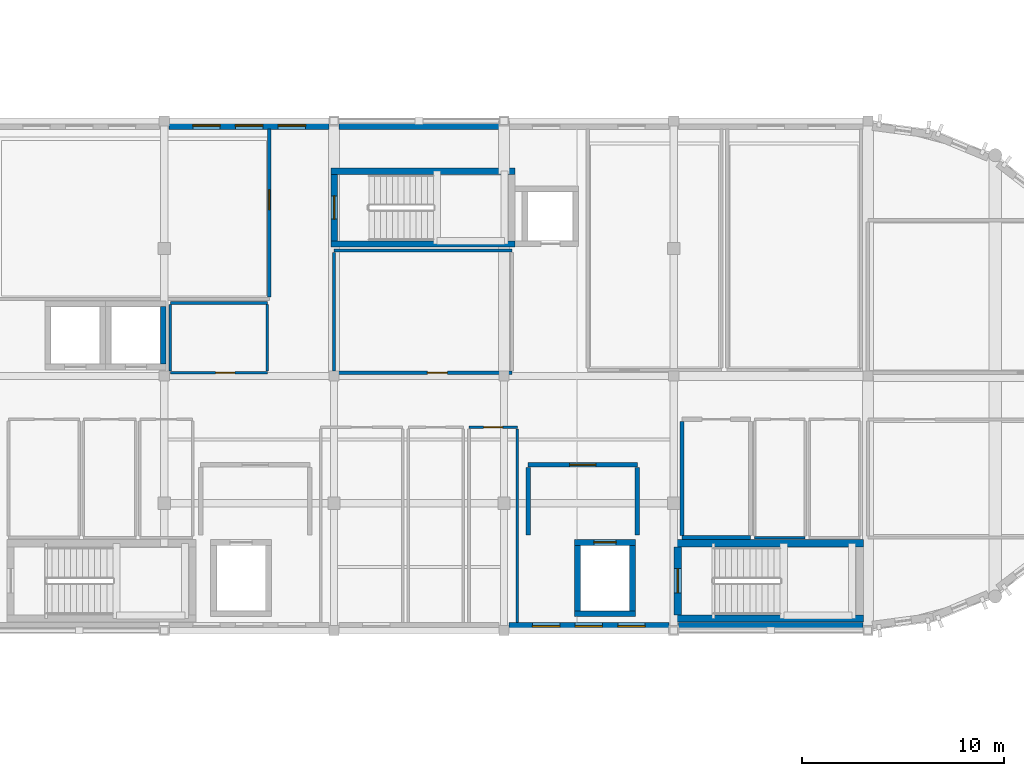
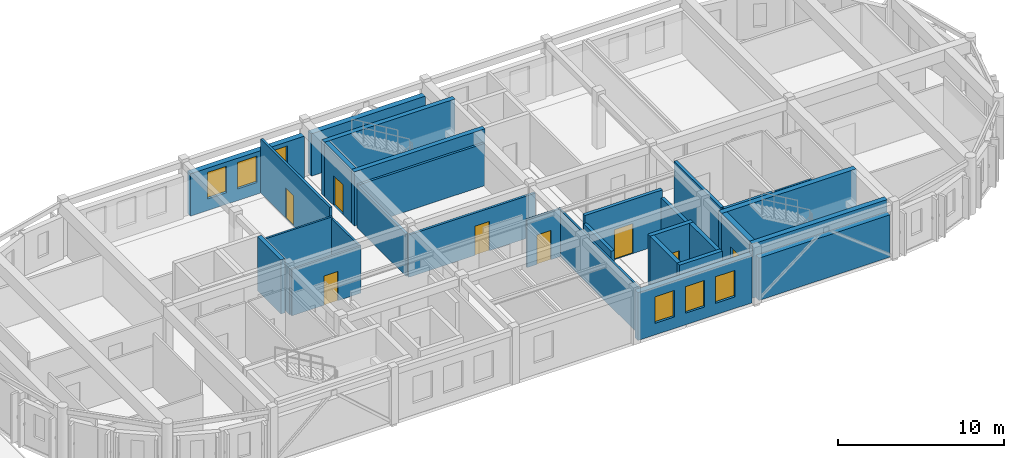
# One storey, part 5 of 12: 31 walls, 8 doors, 6 windows, 14 openings.
"""IFC4 building model written with IfcOpenShell, lengths in metres."""

from ifc_helpers import new_model, si_unit, direction, frame, frame_2d, origin, place, context, subcontext, project, spatial, rectangle, extrude, material, layer, layer_set, type_object, element, fill, save


model = new_model("IFC4")

# Units and contexts
model_context = context("Model", 3, precision=1e-05, world=origin(), true_north=direction((0.0, 1.0)))
body_context = subcontext(model_context, "Body", "Model", "MODEL_VIEW")
ifc_project = project(units=[si_unit("LENGTHUNIT", "METRE"), si_unit("AREAUNIT", "SQUARE_METRE"), si_unit("VOLUMEUNIT", "CUBIC_METRE"), si_unit("PLANEANGLEUNIT", "RADIAN"), si_unit("MASSUNIT", "GRAM", prefix="KILO")], contexts=[model_context])

# Site, building, storey
site_placement = place(None, origin())
site = spatial("IfcSite", under=ifc_project, at=site_placement, CompositionType="ELEMENT")
building_placement = place(site_placement, origin())
building = spatial("IfcBuilding", under=site, at=building_placement, Name="Tarnavel Promenade Courthouse", CompositionType="ELEMENT")
storey_placement = place(building_placement, frame((0.0, 0.0, 27.0)))
storey = spatial("IfcBuildingStorey", under=building, at=storey_placement, Name="L07", CompositionType="ELEMENT", Elevation=27.0)

# Wall, opening, door
ifc_material_1 = material(Name="Acoustic Insulated Gypsum Stud Partition", Category="gypsum")
ifc_layer_1 = layer(ifc_material_1, 0.1650390625)
ifc_layer_set_1 = layer_set([ifc_layer_1], Name="Acoustic Insulated Gypsum Stud Partition")
wall_type_1 = type_object("IfcWallType", Name="Acoustic Insulated Gypsum Stud Partition WL-CHM-165 (165 mm)", PredefinedType="PARTITIONING", material=ifc_layer_set_1)
wall_1_placement = place(storey_placement, frame((72.39990234375, 103.99609375, 0.0), z_axis=(0.0, 0.0, 1.0), x_axis=(0.0, -1.0, 0.0)))
wall_1 = element("IfcWall", 1, at=wall_1_placement, inside=storey, type_object=wall_type_1, Name="L07 Appellate Judges' Chambers L07 Suite A Partition 0874", PredefinedType="PARTITIONING", context=body_context, shape_type="SweptSolid", body=[
    extrude(rectangle(XDim=8.3037109375, YDim=0.1650390625, at=frame_2d((4.15185546875, 0.0))), origin(), (0.0, 0.0, 1.0), 3.965087890625),
])
opening_1_placement = place(wall_1_placement, frame((2.99951171875, 0.0, 0.0)))
opening_1 = element("IfcOpeningElement", 2, at=opening_1_placement, cuts=wall_1, Name="Opening ID-04", PredefinedType="OPENING", context=body_context, shape_type="SweptSolid", body=[
    extrude(rectangle(XDim=0.97998046875, YDim=2.199951171875, at=frame_2d((0.489990234375, 1.10009765625))), frame((0.0, 0.092529296875, 0.0), z_axis=(0.0, -1.0, 0.0), x_axis=(1.0, 0.0, 0.0)), (0.0, 0.0, 1.0), 0.18505859375),
])
ifc_material_2 = material(Name="Solid Oak Judges Chambers Door")
door_type_1 = type_object("IfcDoorType", Name="Solid Oak Judges Chambers Door (DR-CHM-0980x2200)", OperationType="NOTDEFINED", PredefinedType="DOOR", material=ifc_material_2)
door_1_placement = place(opening_1_placement, origin())
door_1 = element("IfcDoor", 3, at=door_1_placement, inside=storey, type_object=door_type_1, Name="L07 Appellate Judges' Chambers L07 Suite A Door 0249", OperationType="SINGLE_SWING_RIGHT", OverallHeight=2.199951171875, OverallWidth=0.97998046875, PredefinedType="DOOR", context=body_context, shape_type="SweptSolid", body=[
    extrude(rectangle(XDim=0.97998046875, YDim=2.199951171875, at=frame_2d((0.489990234375, 1.10009765625))), frame((0.0, 0.02490234375, 0.0), z_axis=(0.0, -1.0, 0.0), x_axis=(1.0, 0.0, 0.0)), (0.0, 0.0, 1.0), 0.050048828125),
])
fill(opening_1, door_1)

# Wall
wall_2_placement = place(storey_placement, frame((75.60009765625, 98.0, 0.0), z_axis=(0.0, 0.0, 1.0), x_axis=(1.0, 0.0, 0.0)))
element("IfcWall", 4, at=wall_2_placement, inside=storey, type_object=wall_type_1, Name="L07 L07 Judicial Panel Deliberation Salon Partition 0879", PredefinedType="PARTITIONING", context=body_context, shape_type="SweptSolid", body=[
    extrude(rectangle(XDim=8.7998046875, YDim=0.1650390625, at=frame_2d((4.39990234375, 0.0))), origin(), (0.0, 0.0, 1.0), 3.110107421875),
])

# Wall, opening, door
wall_3_placement = place(storey_placement, frame((84.39990234375, 91.949951171875, 0.0), z_axis=(0.0, 0.0, 1.0), x_axis=(-1.0, 0.0, 0.0)))
wall_3 = element("IfcWall", 5, at=wall_3_placement, inside=storey, type_object=wall_type_1, Name="L07 L07 Judicial Panel Deliberation Salon Partition 0880", PredefinedType="PARTITIONING", context=body_context, shape_type="SweptSolid", body=[
    extrude(rectangle(XDim=8.7998046875, YDim=0.1650390625, at=frame_2d((4.39990234375, 0.0))), origin(), (0.0, 0.0, 1.0), 3.110107421875),
])
opening_2_placement = place(wall_3_placement, frame((3.18994140625, 0.0, 0.0)))
opening_2 = element("IfcOpeningElement", 6, at=opening_2_placement, cuts=wall_3, Name="Opening ID-03", PredefinedType="OPENING", context=body_context, shape_type="SweptSolid", body=[
    extrude(rectangle(XDim=1.0, YDim=2.14990234375, at=frame_2d((0.5, 1.074951171875))), frame((0.0, 0.092529296875, 0.0), z_axis=(0.0, -1.0, 0.0), x_axis=(1.0, 0.0, 0.0)), (0.0, 0.0, 1.0), 0.18505859375),
])
ifc_material_3 = material(Name="Acoustic Solid-Core Oak Jury Room Door")
door_type_2 = type_object("IfcDoorType", Name="Acoustic Solid-Core Oak Jury Room Door (DR-JRY-1000x2150)", OperationType="NOTDEFINED", PredefinedType="DOOR", material=ifc_material_3)
door_2_placement = place(opening_2_placement, origin())
door_2 = element("IfcDoor", 7, at=door_2_placement, inside=storey, type_object=door_type_2, Name="L07 L07 Judicial Panel Deliberation Salon Door 0251", OperationType="SINGLE_SWING_RIGHT", OverallHeight=2.14990234375, OverallWidth=1.0, PredefinedType="DOOR", context=body_context, shape_type="SweptSolid", body=[
    extrude(rectangle(XDim=1.0, YDim=2.14990234375, at=frame_2d((0.5, 1.074951171875))), frame((0.0, 0.02490234375, 0.0), z_axis=(0.0, -1.0, 0.0), x_axis=(1.0, 0.0, 0.0)), (0.0, 0.0, 1.0), 0.050048828125),
])
fill(opening_2, door_2)

# Wall
wall_4_placement = place(storey_placement, frame((75.60009765625, 92.04248046875, 0.0), z_axis=(0.0, 0.0, 1.0), x_axis=(0.0, 1.0, 0.0)))
element("IfcWall", 8, at=wall_4_placement, inside=storey, type_object=wall_type_1, Name="L07 L07 Judicial Panel Deliberation Salon Partition 0881", PredefinedType="PARTITIONING", context=body_context, shape_type="SweptSolid", body=[
    extrude(rectangle(XDim=5.864990234375, YDim=0.1650390625, at=frame_2d((2.9326171875, 0.0))), origin(), (0.0, 0.0, 1.0), 3.110107421875),
])

# Wall, opening, door
ifc_material_4 = material(Name="Concrete C40/50", Category="concrete")
ifc_layer_2 = layer(ifc_material_4, 0.280029296875)
ifc_layer_set_2 = layer_set([ifc_layer_2], Name="Concrete C40/50")
wall_type_2 = type_object("IfcWallType", Name="Concrete C40/50 WL-SHR-280 (280 mm)", PredefinedType="SHEAR", material=ifc_layer_set_2)
wall_5_placement = place(storey_placement, frame((87.5, 83.56005859375, 0.0), z_axis=(0.0, 0.0, 1.0), x_axis=(1.0, 0.0, 0.0)))
wall_5 = element("IfcWall", 9, at=wall_5_placement, inside=storey, type_object=wall_type_2, Name="L07 L-FF2 Lift Shaft North Wall", PredefinedType="SHEAR", context=body_context, shape_type="SweptSolid", body=[
    extrude(rectangle(XDim=3.0, YDim=0.280029296875, at=frame_2d((1.5, 0.0))), origin(), (0.0, 0.0, 1.0), 3.97998046875),
])
opening_3_placement = place(wall_5_placement, frame((0.949951171875, 0.0, 0.0)))
opening_3 = element("IfcOpeningElement", 10, at=opening_3_placement, cuts=wall_5, Name="Opening LD-01", PredefinedType="OPENING", context=body_context, shape_type="SweptSolid", body=[
    extrude(rectangle(XDim=1.10009765625, YDim=2.199951171875, at=frame_2d((0.550048828125, 1.10009765625))), frame((0.0, 0.14990234375, 0.0), z_axis=(0.0, -1.0, 0.0), x_axis=(1.0, 0.0, 0.0)), (0.0, 0.0, 1.0), 0.300048828125),
])
ifc_material_5 = material(Name="Stainless Steel Firefighting Lift Landing Sliding Door", Category="steel")
door_type_3 = type_object("IfcDoorType", Name="Stainless Steel Firefighting Lift Landing Sliding Door (LD-FF-1100x2200)", OperationType="NOTDEFINED", PredefinedType="DOOR", material=ifc_material_5)
door_3_placement = place(opening_3_placement, origin())
door_3 = element("IfcDoor", 11, at=door_3_placement, inside=storey, type_object=door_type_3, Name="L07 L-FF2 Lift Sliding Landing Door", OperationType="DOUBLE_DOOR_SLIDING", OverallHeight=2.199951171875, OverallWidth=1.10009765625, PredefinedType="DOOR", context=body_context, shape_type="SweptSolid", body=[
    extrude(rectangle(XDim=1.10009765625, YDim=2.199951171875, at=frame_2d((0.550048828125, 1.10009765625))), frame((0.0, 0.02490234375, 0.0), z_axis=(0.0, -1.0, 0.0), x_axis=(1.0, 0.0, 0.0)), (0.0, 0.0, 1.0), 0.050048828125),
])
fill(opening_3, door_3)

# Walls
wall_6_placement = place(storey_placement, frame((90.5, 80.0400390625, 0.0), z_axis=(0.0, 0.0, 1.0), x_axis=(-1.0, 0.0, 0.0)))
element("IfcWall", 12, at=wall_6_placement, inside=storey, type_object=wall_type_2, Name="L07 L-FF2 Lift Shaft South Wall", PredefinedType="SHEAR", context=body_context, shape_type="SweptSolid", body=[
    extrude(rectangle(XDim=3.0, YDim=0.280029296875, at=frame_2d((1.5, 0.0))), origin(), (0.0, 0.0, 1.0), 3.97998046875),
])
for number, where, z_axis, x_axis, name in (
    (13, (87.639892578125, 80.179931640625, 0.0), (0.0, 0.0, 1.0), (0.0, 1.0, 0.0), "L07 L-FF2 Lift Shaft West Wall"),
    (14, (90.360107421875, 83.419921875, 0.0), (0.0, 0.0, 1.0), (0.0, -1.0, 0.0), "L07 L-FF2 Lift Shaft East Wall"),
):
    element("IfcWall", number, at=place(storey_placement, frame(where, z_axis=z_axis, x_axis=x_axis)), inside=storey, type_object=wall_type_2, Name=name, PredefinedType="SHEAR", context=body_context, shape_type="SweptSolid", body=[
        extrude(rectangle(XDim=3.239990234375, YDim=0.280029296875, at=frame_2d((1.6201171875, 0.0))), origin(), (0.0, 0.0, 1.0), 3.97998046875),
    ])
wall_7_placement = place(storey_placement, frame((67.159912109375, 95.219970703125, 0.0), z_axis=(0.0, 0.0, 1.0), x_axis=(0.0, -1.0, 0.0)))
element("IfcWall", 15, at=wall_7_placement, inside=storey, type_object=wall_type_2, Name="L07 L-PUB2 Lift Shaft East Wall", PredefinedType="SHEAR", context=body_context, shape_type="SweptSolid", body=[
    extrude(rectangle(XDim=2.840087890625, YDim=0.280029296875, at=frame_2d((1.419921875, 0.0))), origin(), (0.0, 0.0, 1.0), 3.97998046875),
])
ifc_layer_3 = layer(ifc_material_4, 0.320068359375)
ifc_layer_set_3 = layer_set([ifc_layer_3], Name="Concrete C40/50")
wall_type_3 = type_object("IfcWallType", Name="Concrete C40/50 WL-SHR-320 (320 mm)", PredefinedType="SHEAR", material=ifc_layer_set_3)
for number, where, z_axis, x_axis, name in (
    (16, (75.4599609375, 101.919921875, 0.0), (0.0, 0.0, 1.0), (1.0, 0.0, 0.0), "L07 ST-03 Shear Core North Wall"),
    (17, (84.5400390625, 98.320068359375, 0.0), (0.0, 0.0, 1.0), (-1.0, 0.0, 0.0), "L07 ST-03 Shear Core South Wall"),
):
    element("IfcWall", number, at=place(storey_placement, frame(where, z_axis=z_axis, x_axis=x_axis)), inside=storey, type_object=wall_type_3, Name=name, PredefinedType="SHEAR", context=body_context, shape_type="SweptSolid", body=[
        extrude(rectangle(XDim=9.080078125, YDim=0.320068359375, at=frame_2d((4.5400390625, 0.0))), origin(), (0.0, 0.0, 1.0), 3.97998046875),
    ])

# Wall, opening, door
wall_8_placement = place(storey_placement, frame((75.6201171875, 98.47998046875, 0.0), z_axis=(0.0, 0.0, 1.0), x_axis=(0.0, 1.0, 0.0)))
wall_8 = element("IfcWall", 18, at=wall_8_placement, inside=storey, type_object=wall_type_3, Name="L07 ST-03 Shear Core West Landing Wall", PredefinedType="SHEAR", context=body_context, shape_type="SweptSolid", body=[
    extrude(rectangle(XDim=3.280029296875, YDim=0.320068359375, at=frame_2d((1.64013671875, 0.0))), origin(), (0.0, 0.0, 1.0), 3.97998046875),
])
opening_4_placement = place(wall_8_placement, frame((1.06494140625, 0.0, 0.0)))
opening_4 = element("IfcOpeningElement", 19, at=opening_4_placement, cuts=wall_8, Name="Opening FD-01", PredefinedType="OPENING", context=body_context, shape_type="SweptSolid", body=[
    extrude(rectangle(XDim=1.14990234375, YDim=2.199951171875, at=frame_2d((0.574951171875, 1.10009765625))), frame((0.0, 0.169921875, 0.0), z_axis=(0.0, -1.0, 0.0), x_axis=(1.0, 0.0, 0.0)), (0.0, 0.0, 1.0), 0.340087890625),
])
ifc_material_6 = material(Name="Steel Fire-Rated Stair Core Door", Category="steel")
door_type_4 = type_object("IfcDoorType", Name="Steel Fire-Rated Stair Core Door (DR-ST-1150x2200)", OperationType="NOTDEFINED", PredefinedType="DOOR", material=ifc_material_6)
door_4_placement = place(opening_4_placement, origin())
door_4 = element("IfcDoor", 20, at=door_4_placement, inside=storey, type_object=door_type_4, Name="L07 ST-03 Protected Exit Stair Door", OperationType="SINGLE_SWING_LEFT", OverallHeight=2.199951171875, OverallWidth=1.14990234375, PredefinedType="DOOR", context=body_context, shape_type="SweptSolid", body=[
    extrude(rectangle(XDim=1.14990234375, YDim=2.199951171875, at=frame_2d((0.574951171875, 1.10009765625))), frame((0.0, 0.02490234375, 0.0), z_axis=(0.0, -1.0, 0.0), x_axis=(1.0, 0.0, 0.0)), (0.0, 0.0, 1.0), 0.050048828125),
])
fill(opening_4, door_4)

# Walls
ifc_layer_4 = layer(ifc_material_4, 0.360107421875)
ifc_layer_set_4 = layer_set([ifc_layer_4], Name="Concrete C40/50")
wall_type_4 = type_object("IfcWallType", Name="Concrete C40/50 WL-SHR-360 (360 mm)", PredefinedType="SHEAR", material=ifc_layer_set_4)
for number, where, z_axis, x_axis, name in (
    (21, (92.419921875, 83.52001953125, 0.0), (0.0, 0.0, 1.0), (1.0, 0.0, 0.0), "L07 ST-02 Shear Core North Wall"),
    (22, (101.780029296875, 79.800048828125, 0.0), (0.0, 0.0, 1.0), (-1.0, 0.0, 0.0), "L07 ST-02 Shear Core South Wall"),
):
    element("IfcWall", number, at=place(storey_placement, frame(where, z_axis=z_axis, x_axis=x_axis)), inside=storey, type_object=wall_type_4, Name=name, PredefinedType="SHEAR", context=body_context, shape_type="SweptSolid", body=[
        extrude(rectangle(XDim=9.360107421875, YDim=0.360107421875, at=frame_2d((4.68017578125, 0.0))), origin(), (0.0, 0.0, 1.0), 3.97998046875),
    ])

# Wall, opening, door
wall_9_placement = place(storey_placement, frame((92.60009765625, 79.97998046875, 0.0), z_axis=(0.0, 0.0, 1.0), x_axis=(0.0, 1.0, 0.0)))
wall_9 = element("IfcWall", 23, at=wall_9_placement, inside=storey, type_object=wall_type_4, Name="L07 ST-02 Shear Core West Landing Wall", PredefinedType="SHEAR", context=body_context, shape_type="SweptSolid", body=[
    extrude(rectangle(XDim=3.360107421875, YDim=0.360107421875, at=frame_2d((1.68017578125, 0.0))), origin(), (0.0, 0.0, 1.0), 3.97998046875),
])
opening_5_placement = place(wall_9_placement, frame((1.080078125, 0.0, 0.0)))
opening_5 = element("IfcOpeningElement", 24, at=opening_5_placement, cuts=wall_9, Name="Opening FD-02", PredefinedType="OPENING", context=body_context, shape_type="SweptSolid", body=[
    extrude(rectangle(XDim=1.199951171875, YDim=2.199951171875, at=frame_2d((0.60009765625, 1.10009765625))), frame((0.0, 0.18994140625, 0.0), z_axis=(0.0, -1.0, 0.0), x_axis=(1.0, 0.0, 0.0)), (0.0, 0.0, 1.0), 0.380126953125),
])
ifc_material_7 = material(Name="Steel Fire-Rated Firefighting Stair Door", Category="steel")
door_type_5 = type_object("IfcDoorType", Name="Steel Fire-Rated Firefighting Stair Door (DR-ST-1200x2200)", OperationType="NOTDEFINED", PredefinedType="DOOR", material=ifc_material_7)
door_5_placement = place(opening_5_placement, origin())
door_5 = element("IfcDoor", 25, at=door_5_placement, inside=storey, type_object=door_type_5, Name="L07 ST-02 Protected Exit Stair Door", OperationType="SINGLE_SWING_LEFT", OverallHeight=2.199951171875, OverallWidth=1.199951171875, PredefinedType="DOOR", context=body_context, shape_type="SweptSolid", body=[
    extrude(rectangle(XDim=1.199951171875, YDim=2.199951171875, at=frame_2d((0.60009765625, 1.10009765625))), frame((0.0, 0.02490234375, 0.0), z_axis=(0.0, -1.0, 0.0), x_axis=(1.0, 0.0, 0.0)), (0.0, 0.0, 1.0), 0.050048828125),
])
fill(opening_5, door_5)

# Walls
ifc_material_8 = material(Name="Concrete Masonry Fire Compartment Wall", Category="masonry")
ifc_layer_5 = layer(ifc_material_8, 0.205078125)
ifc_layer_set_5 = layer_set([ifc_layer_5], Name="Concrete Masonry Fire Compartment Wall")
wall_type_5 = type_object("IfcWallType", Name="Concrete Masonry Fire Compartment Wall WL-CMP-205 (205 mm)", PredefinedType="STANDARD", material=ifc_layer_set_5)
wall_10_placement = place(storey_placement, frame((96.199951171875, 83.800048828125, 0.0), z_axis=(0.0, 0.0, 1.0), x_axis=(-1.0, 0.0, 0.0)))
element("IfcWall", 26, at=wall_10_placement, inside=storey, type_object=wall_type_5, Name="L07 L07 Court Transcript Records Room Partition 0869", PredefinedType="STANDARD", context=body_context, shape_type="SweptSolid", body=[
    extrude(rectangle(XDim=3.39990234375, YDim=0.205078125, at=frame_2d((1.699951171875, 0.0))), origin(), (0.0, 0.0, 1.0), 3.965087890625),
])
wall_11_placement = place(storey_placement, frame((92.800048828125, 83.91259765625, 0.0), z_axis=(0.0, 0.0, 1.0), x_axis=(0.0, 1.0, 0.0)))
element("IfcWall", 27, at=wall_11_placement, inside=storey, type_object=wall_type_5, Name="L07 L07 Court Transcript Records Room Partition 0870", PredefinedType="STANDARD", context=body_context, shape_type="SweptSolid", body=[
    extrude(rectangle(XDim=5.625, YDim=0.205078125, at=frame_2d((2.8125, 0.0))), origin(), (0.0, 0.0, 1.0), 3.965087890625),
])

# Wall, opening, door
ifc_layer_6 = layer(ifc_material_8, 0.22998046875)
ifc_layer_set_6 = layer_set([ifc_layer_6], Name="Concrete Masonry Fire Compartment Wall")
wall_type_6 = type_object("IfcWallType", Name="Concrete Masonry Fire Compartment Wall WL-CMP-230 (230 mm)", PredefinedType="STANDARD", material=ifc_layer_set_6)
wall_12_placement = place(storey_placement, frame((85.199951171875, 87.39990234375, 0.0), z_axis=(0.0, 0.0, 1.0), x_axis=(1.0, 0.0, 0.0)))
wall_12 = element("IfcWall", 28, at=wall_12_placement, inside=storey, type_object=wall_type_6, Name="L07 Firefighting Lobby L-FF2 Partition 0845", PredefinedType="STANDARD", context=body_context, shape_type="SweptSolid", body=[
    extrude(rectangle(XDim=5.400146484375, YDim=0.22998046875, at=frame_2d((2.7001953125, 0.0))), origin(), (0.0, 0.0, 1.0), 3.965087890625),
])
opening_6_placement = place(wall_12_placement, frame((2.050048828125, 0.0, 0.0)))
opening_6 = element("IfcOpeningElement", 29, at=opening_6_placement, cuts=wall_12, Name="Opening FD-03", PredefinedType="OPENING", context=body_context, shape_type="SweptSolid", body=[
    extrude(rectangle(XDim=1.300048828125, YDim=2.199951171875, at=frame_2d((0.64990234375, 1.10009765625))), frame((0.0, 0.125, 0.0), z_axis=(0.0, -1.0, 0.0), x_axis=(1.0, 0.0, 0.0)), (0.0, 0.0, 1.0), 0.25),
])
ifc_material_9 = material(Name="Smoke-Sealed Firefighting Lobby Fire Door")
door_type_6 = type_object("IfcDoorType", Name="Smoke-Sealed Firefighting Lobby Fire Door (DR-FFL-1300x2200)", OperationType="NOTDEFINED", PredefinedType="DOOR", material=ifc_material_9)
door_6_placement = place(opening_6_placement, origin())
door_6 = element("IfcDoor", 30, at=door_6_placement, inside=storey, type_object=door_type_6, Name="L07 Firefighting Lobby L-FF2 Door 0242", OperationType="SINGLE_SWING_LEFT", OverallHeight=2.199951171875, OverallWidth=1.300048828125, PredefinedType="DOOR", context=body_context, shape_type="SweptSolid", body=[
    extrude(rectangle(XDim=1.300048828125, YDim=2.199951171875, at=frame_2d((0.64990234375, 1.10009765625))), frame((0.0, 0.02490234375, 0.0), z_axis=(0.0, -1.0, 0.0), x_axis=(1.0, 0.0, 0.0)), (0.0, 0.0, 1.0), 0.050048828125),
])
fill(opening_6, door_6)

# Walls
for number, where, z_axis, x_axis, name in (
    (31, (85.199951171875, 83.925048828125, 0.0), (0.0, 0.0, 1.0), (0.0, 1.0, 0.0), "L07 Firefighting Lobby L-FF2 Partition 0846"),
    (32, (90.60009765625, 87.27490234375, 0.0), (0.0, 0.0, 1.0), (0.0, -1.0, 0.0), "L07 Firefighting Lobby L-FF2 Partition 0847"),
):
    element("IfcWall", number, at=place(storey_placement, frame(where, z_axis=z_axis, x_axis=x_axis)), inside=storey, type_object=wall_type_6, Name=name, PredefinedType="STANDARD", context=body_context, shape_type="SweptSolid", body=[
        extrude(rectangle(XDim=3.349853515625, YDim=0.22998046875, at=frame_2d((1.6748046875, 0.0))), origin(), (0.0, 0.0, 1.0), 3.409912109375),
    ])

# Wall, openings, windows
ifc_material_10 = material(Name="Cream Brick Insulated Cavity Facade Assembly", Category="masonry")
ifc_layer_7 = layer(ifc_material_10, 0.3798828125)
ifc_layer_set_7 = layer_set([ifc_layer_7], Name="Cream Brick Insulated Cavity Facade Assembly")
wall_type_7 = type_object("IfcWallType", Name="Cream Brick Insulated Cavity Facade Assembly WL-EXT-380 (380 mm)", PredefinedType="STANDARD", material=ifc_layer_set_7)
wall_13_placement = place(storey_placement, frame((67.44189453125, 104.179931640625, 0.0), z_axis=(0.0, 0.0, 1.0), x_axis=(1.0, 0.0, 0.0)))
wall_13 = element("IfcWall", 33, at=wall_13_placement, inside=storey, type_object=wall_type_7, Name="L07 Bar North Limestone Facade 0171", PredefinedType="STANDARD", context=body_context, shape_type="SweptSolid", body=[
    extrude(rectangle(XDim=7.916015625, YDim=0.3798828125, at=frame_2d((3.9580078125, 0.0))), origin(), (0.0, 0.0, 1.0), 3.110107421875),
])
opening_7_placement = place(wall_13_placement, frame((1.169677734375, 0.0, 0.85009765625)))
opening_7 = element("IfcOpeningElement", 34, at=opening_7_placement, cuts=wall_13, Name="Opening W-04", PredefinedType="OPENING", context=body_context, shape_type="SweptSolid", body=[
    extrude(rectangle(XDim=1.35009765625, YDim=1.949951171875, at=frame_2d((0.675048828125, 0.97509765625))), frame((0.0, 0.199951171875, 0.0), z_axis=(0.0, -1.0, 0.0), x_axis=(1.0, 0.0, 0.0)), (0.0, 0.0, 1.0), 0.39990234375),
])
opening_8_placement = place(wall_13_placement, frame((3.282958984375, 0.0, 0.85009765625)))
opening_8 = element("IfcOpeningElement", 35, at=opening_8_placement, cuts=wall_13, Name="Opening W-04", PredefinedType="OPENING", context=body_context, shape_type="SweptSolid", body=[
    extrude(rectangle(XDim=1.35009765625, YDim=1.949951171875, at=frame_2d((0.675048828125, 0.97509765625))), frame((0.0, 0.199951171875, 0.0), z_axis=(0.0, -1.0, 0.0), x_axis=(1.0, 0.0, 0.0)), (0.0, 0.0, 1.0), 0.39990234375),
])
opening_9_placement = place(wall_13_placement, frame((5.396240234375, 0.0, 0.85009765625)))
opening_9 = element("IfcOpeningElement", 36, at=opening_9_placement, cuts=wall_13, Name="Opening W-04", PredefinedType="OPENING", context=body_context, shape_type="SweptSolid", body=[
    extrude(rectangle(XDim=1.35009765625, YDim=1.949951171875, at=frame_2d((0.675048828125, 0.97509765625))), frame((0.0, 0.199951171875, 0.0), z_axis=(0.0, -1.0, 0.0), x_axis=(1.0, 0.0, 0.0)), (0.0, 0.0, 1.0), 0.39990234375),
])
ifc_material_11 = material(Name="Triple Low-E Glazed Bronze-Clad Window Assembly")
window_type = type_object("IfcWindowType", Name="Triple-Glazed Bronze-Clad Timber-Aluminium WIN-CHM-1350x1950", PartitioningType="SINGLE_PANEL", PredefinedType="WINDOW", material=ifc_material_11)
window_1_placement = place(opening_7_placement, origin())
window_1 = element("IfcWindow", 37, at=window_1_placement, inside=storey, type_object=window_type, Name="L07 Exterior Window 0136", OverallHeight=1.949951171875, OverallWidth=1.35009765625, PartitioningType="SINGLE_PANEL", PredefinedType="WINDOW", context=body_context, shape_type="SweptSolid", body=[
    extrude(rectangle(XDim=1.35009765625, YDim=1.949951171875, at=frame_2d((0.675048828125, 0.97509765625))), frame((0.0, 0.030029296875, 0.0), z_axis=(0.0, -1.0, 0.0), x_axis=(1.0, 0.0, 0.0)), (0.0, 0.0, 1.0), 0.06005859375),
])
fill(opening_7, window_1)
window_2_placement = place(opening_8_placement, origin())
window_2 = element("IfcWindow", 38, at=window_2_placement, inside=storey, type_object=window_type, Name="L07 Exterior Window 0137", OverallHeight=1.949951171875, OverallWidth=1.35009765625, PartitioningType="SINGLE_PANEL", PredefinedType="WINDOW", context=body_context, shape_type="SweptSolid", body=[
    extrude(rectangle(XDim=1.35009765625, YDim=1.949951171875, at=frame_2d((0.675048828125, 0.97509765625))), frame((0.0, 0.030029296875, 0.0), z_axis=(0.0, -1.0, 0.0), x_axis=(1.0, 0.0, 0.0)), (0.0, 0.0, 1.0), 0.06005859375),
])
fill(opening_8, window_2)
window_3_placement = place(opening_9_placement, origin())
window_3 = element("IfcWindow", 39, at=window_3_placement, inside=storey, type_object=window_type, Name="L07 Exterior Window 0138", OverallHeight=1.949951171875, OverallWidth=1.35009765625, PartitioningType="SINGLE_PANEL", PredefinedType="WINDOW", context=body_context, shape_type="SweptSolid", body=[
    extrude(rectangle(XDim=1.35009765625, YDim=1.949951171875, at=frame_2d((0.675048828125, 0.97509765625))), frame((0.0, 0.030029296875, 0.0), z_axis=(0.0, -1.0, 0.0), x_axis=(1.0, 0.0, 0.0)), (0.0, 0.0, 1.0), 0.06005859375),
])
fill(opening_9, window_3)

# Wall
wall_14_placement = place(storey_placement, frame((75.842041015625, 104.179931640625, 0.0), z_axis=(0.0, 0.0, 1.0), x_axis=(1.0, 0.0, 0.0)))
element("IfcWall", 40, at=wall_14_placement, inside=storey, type_object=wall_type_7, Name="L07 Bar North Limestone Facade 0172", PredefinedType="STANDARD", context=body_context, shape_type="SweptSolid", body=[
    extrude(rectangle(XDim=7.916015625, YDim=0.3798828125, at=frame_2d((3.9580078125, 0.0))), origin(), (0.0, 0.0, 1.0), 3.110107421875),
])

# Wall, openings, windows
wall_15_placement = place(storey_placement, frame((92.157958984375, 79.419921875, 0.0), z_axis=(0.0, 0.0, 1.0), x_axis=(-1.0, 0.0, 0.0)))
wall_15 = element("IfcWall", 41, at=wall_15_placement, inside=storey, type_object=wall_type_7, Name="L07 Bar South Limestone Facade 0178", PredefinedType="STANDARD", context=body_context, shape_type="SweptSolid", body=[
    extrude(rectangle(XDim=7.916015625, YDim=0.3798828125, at=frame_2d((3.9580078125, 0.0))), origin(), (0.0, 0.0, 1.0), 3.510009765625),
])
opening_10_placement = place(wall_15_placement, frame((1.169677734375, 0.0, 0.85009765625)))
opening_10 = element("IfcOpeningElement", 42, at=opening_10_placement, cuts=wall_15, Name="Opening W-04", PredefinedType="OPENING", context=body_context, shape_type="SweptSolid", body=[
    extrude(rectangle(XDim=1.35009765625, YDim=1.949951171875, at=frame_2d((0.675048828125, 0.97509765625))), frame((0.0, 0.199951171875, 0.0), z_axis=(0.0, -1.0, 0.0), x_axis=(1.0, 0.0, 0.0)), (0.0, 0.0, 1.0), 0.39990234375),
])
opening_11_placement = place(wall_15_placement, frame((3.282958984375, 0.0, 0.85009765625)))
opening_11 = element("IfcOpeningElement", 43, at=opening_11_placement, cuts=wall_15, Name="Opening W-04", PredefinedType="OPENING", context=body_context, shape_type="SweptSolid", body=[
    extrude(rectangle(XDim=1.35009765625, YDim=1.949951171875, at=frame_2d((0.675048828125, 0.97509765625))), frame((0.0, 0.199951171875, 0.0), z_axis=(0.0, -1.0, 0.0), x_axis=(1.0, 0.0, 0.0)), (0.0, 0.0, 1.0), 0.39990234375),
])
opening_12_placement = place(wall_15_placement, frame((5.396240234375, 0.0, 0.85009765625)))
opening_12 = element("IfcOpeningElement", 44, at=opening_12_placement, cuts=wall_15, Name="Opening W-04", PredefinedType="OPENING", context=body_context, shape_type="SweptSolid", body=[
    extrude(rectangle(XDim=1.35009765625, YDim=1.949951171875, at=frame_2d((0.675048828125, 0.97509765625))), frame((0.0, 0.199951171875, 0.0), z_axis=(0.0, -1.0, 0.0), x_axis=(1.0, 0.0, 0.0)), (0.0, 0.0, 1.0), 0.39990234375),
])
window_4_placement = place(opening_10_placement, origin())
window_4 = element("IfcWindow", 45, at=window_4_placement, inside=storey, type_object=window_type, Name="L07 Exterior Window 0147", OverallHeight=1.949951171875, OverallWidth=1.35009765625, PartitioningType="SINGLE_PANEL", PredefinedType="WINDOW", context=body_context, shape_type="SweptSolid", body=[
    extrude(rectangle(XDim=1.35009765625, YDim=1.949951171875, at=frame_2d((0.675048828125, 0.97509765625))), frame((0.0, 0.030029296875, 0.0), z_axis=(0.0, -1.0, 0.0), x_axis=(1.0, 0.0, 0.0)), (0.0, 0.0, 1.0), 0.06005859375),
])
fill(opening_10, window_4)
window_5_placement = place(opening_11_placement, origin())
window_5 = element("IfcWindow", 46, at=window_5_placement, inside=storey, type_object=window_type, Name="L07 Exterior Window 0148", OverallHeight=1.949951171875, OverallWidth=1.35009765625, PartitioningType="SINGLE_PANEL", PredefinedType="WINDOW", context=body_context, shape_type="SweptSolid", body=[
    extrude(rectangle(XDim=1.35009765625, YDim=1.949951171875, at=frame_2d((0.675048828125, 0.97509765625))), frame((0.0, 0.030029296875, 0.0), z_axis=(0.0, -1.0, 0.0), x_axis=(1.0, 0.0, 0.0)), (0.0, 0.0, 1.0), 0.06005859375),
])
fill(opening_11, window_5)
window_6_placement = place(opening_12_placement, origin())
window_6 = element("IfcWindow", 47, at=window_6_placement, inside=storey, type_object=window_type, Name="L07 Exterior Window 0149", OverallHeight=1.949951171875, OverallWidth=1.35009765625, PartitioningType="SINGLE_PANEL", PredefinedType="WINDOW", context=body_context, shape_type="SweptSolid", body=[
    extrude(rectangle(XDim=1.35009765625, YDim=1.949951171875, at=frame_2d((0.675048828125, 0.97509765625))), frame((0.0, 0.030029296875, 0.0), z_axis=(0.0, -1.0, 0.0), x_axis=(1.0, 0.0, 0.0)), (0.0, 0.0, 1.0), 0.06005859375),
])
fill(opening_12, window_6)

# Walls
wall_16_placement = place(storey_placement, frame((101.758056640625, 79.419921875, 0.0), z_axis=(0.0, 0.0, 1.0), x_axis=(-1.0, 0.0, 0.0)))
element("IfcWall", 48, at=wall_16_placement, inside=storey, type_object=wall_type_7, Name="L07 Bar South Limestone Facade 0179", PredefinedType="STANDARD", context=body_context, shape_type="SweptSolid", body=[
    extrude(rectangle(XDim=9.115966796875, YDim=0.3798828125, at=frame_2d((4.55810546875, 0.0))), origin(), (0.0, 0.0, 1.0), 3.110107421875),
])
ifc_material_12 = material(Name="Metal-Stud Acoustic Gypsum Partition", Category="gypsum")
ifc_layer_8 = layer(ifc_material_12, 0.135009765625)
ifc_layer_set_8 = layer_set([ifc_layer_8], Name="Metal-Stud Acoustic Gypsum Partition")
wall_type_8 = type_object("IfcWallType", Name="Metal-Stud Acoustic Gypsum Partition WL-OFF-135 (135 mm)", PredefinedType="PARTITIONING", material=ifc_layer_set_8)
wall_17_placement = place(storey_placement, frame((67.5, 95.39990234375, 0.0), z_axis=(0.0, 0.0, 1.0), x_axis=(1.0, 0.0, 0.0)))
element("IfcWall", 49, at=wall_17_placement, inside=storey, type_object=wall_type_8, Name="L07 L07 Judicial Case Clerks' Room Partition 0875", PredefinedType="PARTITIONING", context=body_context, shape_type="SweptSolid", body=[
    extrude(rectangle(XDim=4.800048828125, YDim=0.135009765625, at=frame_2d((2.39990234375, 0.0))), origin(), (0.0, 0.0, 1.0), 3.510009765625),
])

# Wall, opening, door
wall_18_placement = place(storey_placement, frame((72.300048828125, 91.949951171875, 0.0), z_axis=(0.0, 0.0, 1.0), x_axis=(-1.0, 0.0, 0.0)))
wall_18 = element("IfcWall", 50, at=wall_18_placement, inside=storey, type_object=wall_type_8, Name="L07 L07 Judicial Case Clerks' Room Partition 0876", PredefinedType="PARTITIONING", context=body_context, shape_type="SweptSolid", body=[
    extrude(rectangle(XDim=4.800048828125, YDim=0.135009765625, at=frame_2d((2.39990234375, 0.0))), origin(), (0.0, 0.0, 1.0), 3.409912109375),
])
opening_13_placement = place(wall_18_placement, frame((1.610107421875, 0.0, 0.0)))
opening_13 = element("IfcOpeningElement", 51, at=opening_13_placement, cuts=wall_18, Name="Opening ID-06", PredefinedType="OPENING", context=body_context, shape_type="SweptSolid", body=[
    extrude(rectangle(XDim=0.949951171875, YDim=2.14990234375, at=frame_2d((0.47509765625, 1.074951171875))), frame((0.0, 0.077392578125, 0.0), z_axis=(0.0, -1.0, 0.0), x_axis=(1.0, 0.0, 0.0)), (0.0, 0.0, 1.0), 0.155029296875),
])
ifc_material_13 = material(Name="Acoustic Timber Veneer Office Door", Category="wood")
door_type_7 = type_object("IfcDoorType", Name="Acoustic Timber Veneer Office Door (DR-OFF-0950x2150)", OperationType="NOTDEFINED", PredefinedType="DOOR", material=ifc_material_13)
door_7_placement = place(opening_13_placement, origin())
door_7 = element("IfcDoor", 52, at=door_7_placement, inside=storey, type_object=door_type_7, Name="L07 L07 Judicial Case Clerks' Room Door 0250", OperationType="SINGLE_SWING_LEFT", OverallHeight=2.14990234375, OverallWidth=0.949951171875, PredefinedType="DOOR", context=body_context, shape_type="SweptSolid", body=[
    extrude(rectangle(XDim=0.949951171875, YDim=2.14990234375, at=frame_2d((0.47509765625, 1.074951171875))), frame((0.0, 0.02490234375, 0.0), z_axis=(0.0, -1.0, 0.0), x_axis=(1.0, 0.0, 0.0)), (0.0, 0.0, 1.0), 0.050048828125),
])
fill(opening_13, door_7)

# Walls
for number, where, z_axis, x_axis, name in (
    (53, (67.5, 92.027587890625, 0.0), (0.0, 0.0, 1.0), (0.0, 1.0, 0.0), "L07 L07 Judicial Case Clerks' Room Partition 0877"),
    (54, (72.300048828125, 95.322509765625, 0.0), (0.0, 0.0, 1.0), (0.0, -1.0, 0.0), "L07 L07 Judicial Case Clerks' Room Partition 0878"),
):
    element("IfcWall", number, at=place(storey_placement, frame(where, z_axis=z_axis, x_axis=x_axis)), inside=storey, type_object=wall_type_8, Name=name, PredefinedType="PARTITIONING", context=body_context, shape_type="SweptSolid", body=[
        extrude(rectangle(XDim=3.294921875, YDim=0.135009765625, at=frame_2d((1.6474609375, 0.0))), origin(), (0.0, 0.0, 1.0), 3.409912109375),
    ])

# Wall, opening, door
wall_19_placement = place(storey_placement, frame((82.27294921875, 89.260009765625, 0.0), z_axis=(0.0, 0.0, 1.0), x_axis=(1.0, 0.0, 0.0)))
wall_19 = element("IfcWall", 55, at=wall_19_placement, inside=storey, type_object=wall_type_8, Name="L07 Judicial Ethics Secretariat Partition 0895", PredefinedType="PARTITIONING", context=body_context, shape_type="SweptSolid", body=[
    extrude(rectangle(XDim=2.386962890625, YDim=0.135009765625, at=frame_2d((1.193359375, 0.0))), origin(), (0.0, 0.0, 1.0), 3.510009765625),
])
opening_14_placement = place(wall_19_placement, frame((0.718505859375, 0.0, 0.0)))
opening_14 = element("IfcOpeningElement", 56, at=opening_14_placement, cuts=wall_19, Name="Opening ID-06", PredefinedType="OPENING", context=body_context, shape_type="SweptSolid", body=[
    extrude(rectangle(XDim=0.949951171875, YDim=2.14990234375, at=frame_2d((0.47509765625, 1.074951171875))), frame((0.0, 0.077392578125, 0.0), z_axis=(0.0, -1.0, 0.0), x_axis=(1.0, 0.0, 0.0)), (0.0, 0.0, 1.0), 0.155029296875),
])
door_8_placement = place(opening_14_placement, origin())
door_8 = element("IfcDoor", 57, at=door_8_placement, inside=storey, type_object=door_type_7, Name="L07 Judicial Ethics Secretariat Door 0256", OperationType="SINGLE_SWING_LEFT", OverallHeight=2.14990234375, OverallWidth=0.949951171875, PredefinedType="DOOR", context=body_context, shape_type="SweptSolid", body=[
    extrude(rectangle(XDim=0.949951171875, YDim=2.14990234375, at=frame_2d((0.47509765625, 1.074951171875))), frame((0.0, 0.02490234375, 0.0), z_axis=(0.0, -1.0, 0.0), x_axis=(1.0, 0.0, 0.0)), (0.0, 0.0, 1.0), 0.050048828125),
])
fill(opening_14, door_8)

# Walls
wall_20_placement = place(storey_placement, frame((84.659912109375, 89.1826171875, 0.0), z_axis=(0.0, 0.0, 1.0), x_axis=(0.0, -1.0, 0.0)))
element("IfcWall", 58, at=wall_20_placement, inside=storey, type_object=wall_type_8, Name="L07 Judicial Ethics Secretariat Partition 0897", PredefinedType="PARTITIONING", context=body_context, shape_type="SweptSolid", body=[
    extrude(rectangle(XDim=9.57861328125, YDim=0.135009765625, at=frame_2d((4.789306640625, 0.0))), origin(), (0.0, 0.0, 1.0), 3.409912109375),
])
ifc_material_14 = material(Name="Moisture-Resistant Tile-Backed Stud Partition", Category="gypsum")
ifc_layer_9 = layer(ifc_material_14, 0.125)
ifc_layer_set_9 = layer_set([ifc_layer_9], Name="Moisture-Resistant Tile-Backed Stud Partition")
wall_type_9 = type_object("IfcWallType", Name="Moisture-Resistant Tile-Backed Stud Partition WL-WET-125 (125 mm)", PredefinedType="PARTITIONING", material=ifc_layer_set_9)
wall_21_placement = place(storey_placement, frame((98.89990234375, 83.800048828125, 0.0), z_axis=(0.0, 0.0, 1.0), x_axis=(-1.0, 0.0, 0.0)))
element("IfcWall", 59, at=wall_21_placement, inside=storey, type_object=wall_type_9, Name="L07 Staff WC Partition 0857", PredefinedType="PARTITIONING", context=body_context, shape_type="SweptSolid", body=[
    extrude(rectangle(XDim=2.5, YDim=0.125, at=frame_2d((1.25, 0.0))), origin(), (0.0, 0.0, 1.0), 3.965087890625),
])

save(model, "model.ifc")
